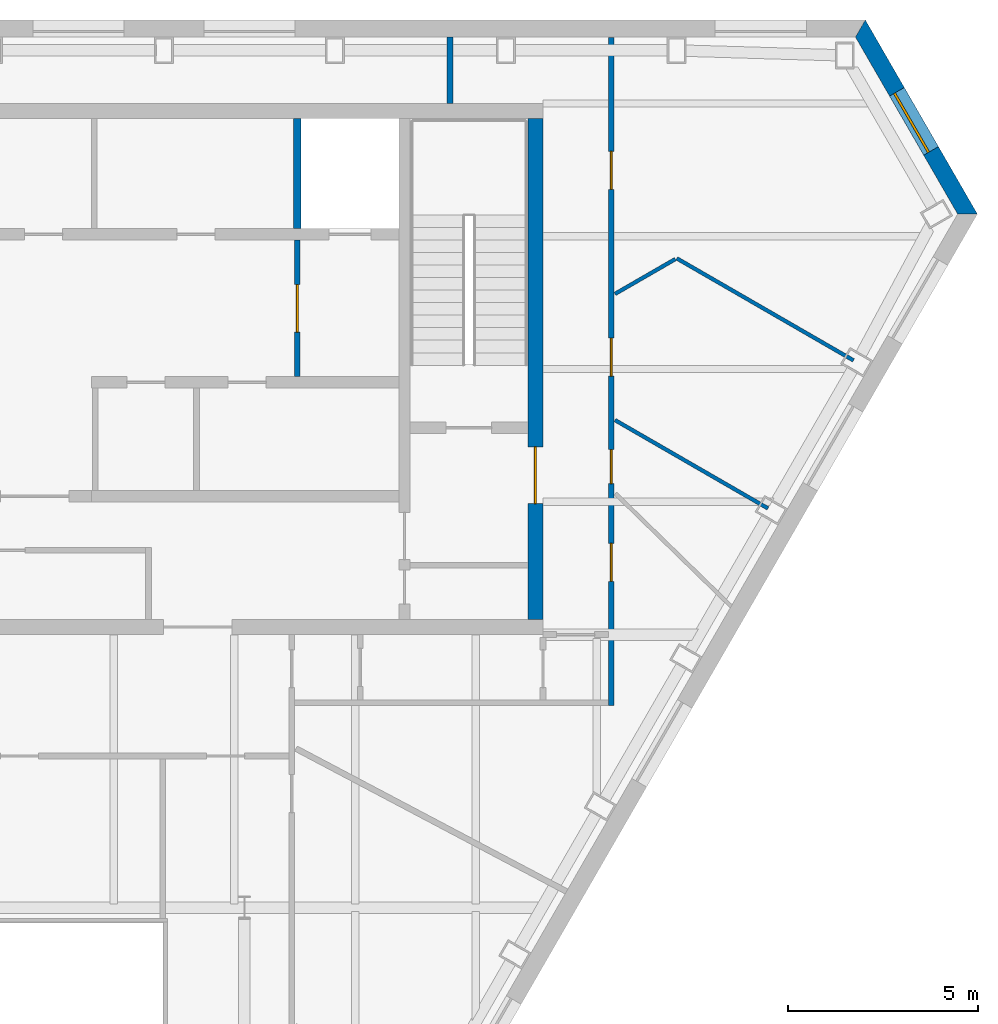
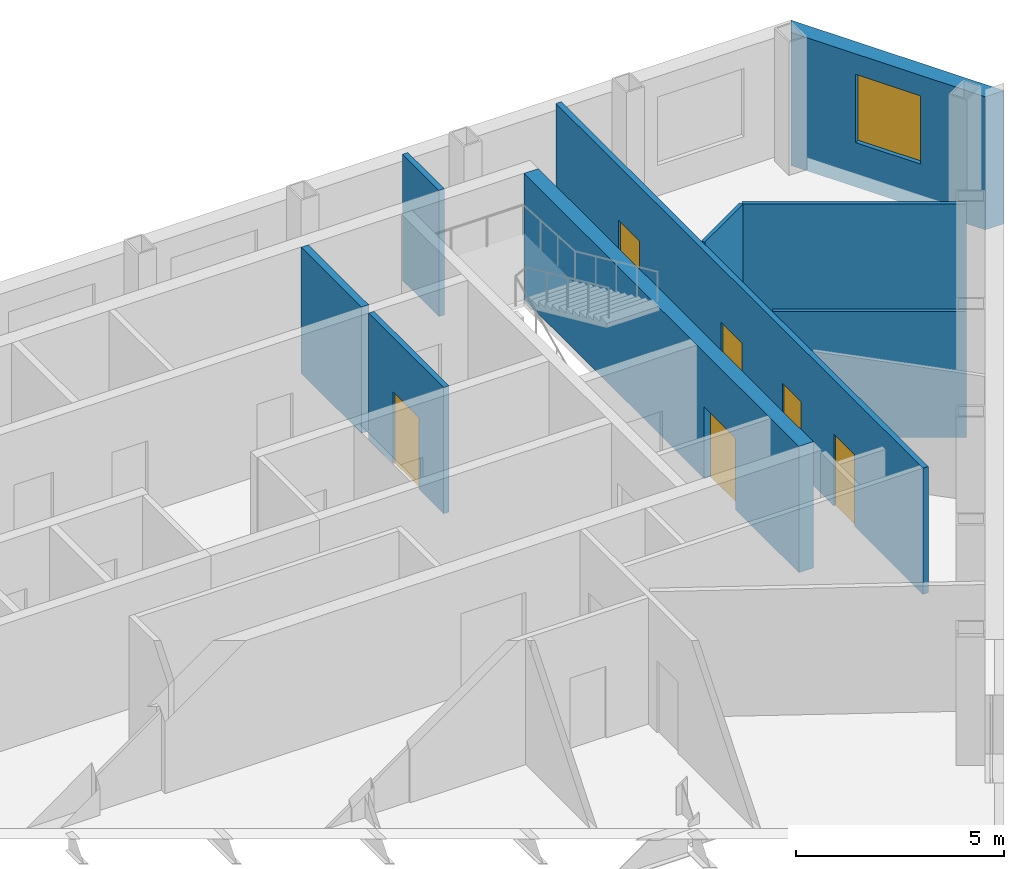
# One storey, part 7 of 10: 9 walls, 6 doors, 1 window, 7 openings.
"""IFC4 building model written with IfcOpenShell, lengths in metres."""

from ifc_helpers import new_model, si_unit, direction, frame, frame_2d, origin, place, context, subcontext, project, spatial, polyline, rectangle, outline, extrude, material, layer, layer_set, type_object, element, fill, save


model = new_model("IFC4")

# Units and contexts
model_context = context("Model", 3, precision=1e-05, world=origin(), true_north=direction((0.0, 1.0)))
body_context = subcontext(model_context, "Body", "Model", "MODEL_VIEW")
ifc_project = project(units=[si_unit("LENGTHUNIT", "METRE"), si_unit("AREAUNIT", "SQUARE_METRE"), si_unit("VOLUMEUNIT", "CUBIC_METRE"), si_unit("PLANEANGLEUNIT", "RADIAN"), si_unit("MASSUNIT", "GRAM", prefix="KILO")], contexts=[model_context])

# Site, building, storey
site_placement = place(None, origin())
site = spatial("IfcSite", under=ifc_project, at=site_placement, CompositionType="ELEMENT")
building_placement = place(site_placement, origin())
building = spatial("IfcBuilding", under=site, at=building_placement, Name="Njiva Tower", CompositionType="ELEMENT")
storey_placement = place(building_placement, frame((0.0, 0.0, 264.9)))
storey = spatial("IfcBuildingStorey", under=building, at=storey_placement, Name="L60", CompositionType="ELEMENT", Elevation=264.9)

# Wall, opening, door
ifc_material_1 = material(Name="Concrete C60/75", Category="concrete")
ifc_layer_1 = layer(ifc_material_1, 0.4)
ifc_layer_set_1 = layer_set([ifc_layer_1], Name="Concrete C60/75")
wall_type_1 = type_object("IfcWallType", Name="WT11 Core wall 400", PredefinedType="SHEAR", material=ifc_layer_set_1)
wall_1_placement = place(storey_placement, frame((14.3, 4.4, 0.0), z_axis=(0.0, 0.0, 1.0), x_axis=(0.0, 1.0, 0.0)))
wall_1 = element("IfcWall", 1, at=wall_1_placement, inside=storey, type_object=wall_type_1, Name="Core wall east", PredefinedType="SHEAR", context=body_context, shape_type="SweptSolid", body=[
    extrude(rectangle(XDim=13.2, YDim=0.4, at=frame_2d((6.6, 0.0))), origin(), (0.0, 0.0, 1.0), 3.7),
])
opening_1_placement = place(wall_1_placement, frame((3.05, 0.0, 0.0)))
opening_1 = element("IfcOpeningElement", 2, at=opening_1_placement, cuts=wall_1, Name="Opening S19-D922", PredefinedType="OPENING", context=body_context, shape_type="SweptSolid", body=[
    extrude(rectangle(XDim=1.5, YDim=2.1, at=frame_2d((0.75, 1.05))), frame((0.0, 0.21, 0.0), z_axis=(0.0, -1.0, 0.0), x_axis=(1.0, 0.0, 0.0)), (0.0, 0.0, 1.0), 0.42),
])
ifc_material_2 = material(Name="Glazed steel fire door", Category="steel")
door_type_1 = type_object("IfcDoorType", Name="D10 Exit door double 1500x2100 glazed", OperationType="DOUBLE_DOOR_SINGLE_SWING", PredefinedType="DOOR", material=ifc_material_2)
door_1_placement = place(opening_1_placement, origin())
door_1 = element("IfcDoor", 3, at=door_1_placement, inside=storey, type_object=door_type_1, Name="Stair B corridor door", OperationType="DOUBLE_DOOR_SINGLE_SWING", OverallHeight=2.1, OverallWidth=1.5, PredefinedType="DOOR", context=body_context, shape_type="SweptSolid", body=[
    extrude(rectangle(XDim=1.5, YDim=2.1, at=frame_2d((0.75, 1.05))), frame((0.0, 0.025, 0.0), z_axis=(0.0, -1.0, 0.0), x_axis=(1.0, 0.0, 0.0)), (0.0, 0.0, 1.0), 0.05),
])
fill(opening_1, door_1)

ifc_material_3 = material(Name="Blockwork", Category="masonry")
ifc_layer_2 = layer(ifc_material_3, 0.15)
ifc_layer_set_2 = layer_set([ifc_layer_2], Name="Blockwork")
wall_type_2 = type_object("IfcWallType", Name="WT2 Lobby partition 150", PredefinedType="PARTITIONING", material=ifc_layer_set_2)
wall_2_placement = place(storey_placement, frame((8.025, 10.8, 0.0), z_axis=(0.0, 0.0, 1.0), x_axis=(0.0, 1.0, 0.0)))
wall_2 = element("IfcWall", 4, at=wall_2_placement, inside=storey, type_object=wall_type_2, Name="Firefighting lobby wall B", PredefinedType="PARTITIONING", context=body_context, shape_type="SweptSolid", body=[
    extrude(rectangle(XDim=3.6, YDim=0.15, at=frame_2d((1.8, 0.0))), origin(), (0.0, 0.0, 1.0), 3.7),
])
opening_2_placement = place(wall_2_placement, frame((1.175, 0.0, 0.0)))
opening_2 = element("IfcOpeningElement", 5, at=opening_2_placement, cuts=wall_2, Name="Opening S19-D919", PredefinedType="OPENING", context=body_context, shape_type="SweptSolid", body=[
    extrude(rectangle(XDim=1.25, YDim=2.1, at=frame_2d((0.625, 1.05))), frame((0.0, 0.085, 0.0), z_axis=(0.0, -1.0, 0.0), x_axis=(1.0, 0.0, 0.0)), (0.0, 0.0, 1.0), 0.17),
])
door_type_2 = type_object("IfcDoorType", Name="D8 Vestibule corridor door 1250x2100 glazed", OperationType="SINGLE_SWING_LEFT", PredefinedType="DOOR", material=ifc_material_2)
door_2_placement = place(opening_2_placement, origin())
door_2 = element("IfcDoor", 6, at=door_2_placement, inside=storey, type_object=door_type_2, Name="Stair vestibule corridor door", OperationType="SINGLE_SWING_LEFT", OverallHeight=2.1, OverallWidth=1.25, PredefinedType="DOOR", context=body_context, shape_type="SweptSolid", body=[
    extrude(rectangle(XDim=1.25, YDim=2.1, at=frame_2d((0.625, 1.05))), frame((0.0, 0.025, 0.0), z_axis=(0.0, -1.0, 0.0), x_axis=(1.0, 0.0, 0.0)), (0.0, 0.0, 1.0), 0.05),
])
fill(opening_2, door_2)

# Walls
ifc_material_4 = material(Name="Gypsum board on steel studs", Category="gypsum")
ifc_layer_3 = layer(ifc_material_4, 0.1)
ifc_layer_set_3 = layer_set([ifc_layer_3], Name="Gypsum board on steel studs")
wall_type_3 = type_object("IfcWallType", Name="WT20 Gypsum partition 100", PredefinedType="PARTITIONING", material=ifc_layer_set_3)
wall_3_placement = place(storey_placement, frame((16.4, 12.982, 0.0), z_axis=(0.0, 0.0, 1.0), x_axis=(0.866221908719, 0.499659488908, 0.0)))
element("IfcWall", 7, at=wall_3_placement, inside=storey, type_object=wall_type_3, Name="Partition S19-P031", PredefinedType="PARTITIONING", context=body_context, shape_type="SweptSolid", body=[
    extrude(rectangle(XDim=1.8332, YDim=0.1, at=frame_2d((0.9166, 0.0))), origin(), (0.0, 0.0, 1.0), 3.7),
])
wall_4_placement = place(storey_placement, frame((16.4, 9.654, 0.0), z_axis=(0.0, 0.0, 1.0), x_axis=(0.86606758311, -0.499926936147, 0.0)))
element("IfcWall", 8, at=wall_4_placement, inside=storey, type_object=wall_type_3, Name="Partition S19-P032", PredefinedType="PARTITIONING", context=body_context, shape_type="SweptSolid", body=[
    extrude(rectangle(XDim=4.6567, YDim=0.1, at=frame_2d((2.3284, 0.0))), origin(), (0.0, 0.0, 1.0), 3.7),
])
wall_5_placement = place(storey_placement, frame((18.026, 13.919, 0.0), z_axis=(0.0, 0.0, 1.0), x_axis=(0.866061796884, -0.499936960004, 0.0)))
element("IfcWall", 9, at=wall_5_placement, inside=storey, type_object=wall_type_3, Name="Partition S19-P034", PredefinedType="PARTITIONING", context=body_context, shape_type="SweptSolid", body=[
    extrude(rectangle(XDim=5.3807, YDim=0.1, at=frame_2d((2.6904, 0.0))), origin(), (0.0, 0.0, 1.0), 3.7),
])
ifc_layer_4 = layer(ifc_material_4, 0.15)
ifc_layer_set_4 = layer_set([ifc_layer_4], Name="Gypsum board on steel studs")
wall_type_4 = type_object("IfcWallType", Name="WT21 Compartment wall 150", PredefinedType="PARTITIONING", material=ifc_layer_set_4)
wall_6_placement = place(storey_placement, frame((12.05, 18.0, 0.0), z_axis=(0.0, 0.0, 1.0), x_axis=(0.0, 1.0, 0.0)))
element("IfcWall", 10, at=wall_6_placement, inside=storey, type_object=wall_type_4, Name="Partition S19-P027", PredefinedType="PARTITIONING", context=body_context, shape_type="SweptSolid", body=[
    extrude(rectangle(XDim=1.75, YDim=0.15, at=frame_2d((0.875, 0.0))), origin(), (0.0, 0.0, 1.0), 3.7),
])

# Wall, openings, doors
wall_7_placement = place(storey_placement, frame((16.3, 2.125, 0.0), z_axis=(0.0, 0.0, 1.0), x_axis=(0.0, 1.0, 0.0)))
wall_7 = element("IfcWall", 11, at=wall_7_placement, inside=storey, type_object=wall_type_4, Name="Partition S19-P030", PredefinedType="PARTITIONING", context=body_context, shape_type="SweptSolid", body=[
    extrude(rectangle(XDim=17.622, YDim=0.15, at=frame_2d((8.811, 0.0))), origin(), (0.0, 0.0, 1.0), 3.7),
])
opening_3_placement = place(wall_7_placement, frame((3.281, 0.0, 0.0)))
opening_3 = element("IfcOpeningElement", 12, at=opening_3_placement, cuts=wall_7, Name="Opening S19-D022", PredefinedType="OPENING", context=body_context, shape_type="SweptSolid", body=[
    extrude(rectangle(XDim=1.0, YDim=2.1, at=frame_2d((0.5, 1.05))), frame((0.0, 0.085, 0.0), z_axis=(0.0, -1.0, 0.0), x_axis=(1.0, 0.0, 0.0)), (0.0, 0.0, 1.0), 0.17),
])
opening_4_placement = place(wall_7_placement, frame((5.853, 0.0, 0.0)))
opening_4 = element("IfcOpeningElement", 13, at=opening_4_placement, cuts=wall_7, Name="Opening S19-D023", PredefinedType="OPENING", context=body_context, shape_type="SweptSolid", body=[
    extrude(rectangle(XDim=0.9, YDim=2.1, at=frame_2d((0.45, 1.05))), frame((0.0, 0.085, 0.0), z_axis=(0.0, -1.0, 0.0), x_axis=(1.0, 0.0, 0.0)), (0.0, 0.0, 1.0), 0.17),
])
opening_5_placement = place(wall_7_placement, frame((8.692, 0.0, 0.0)))
opening_5 = element("IfcOpeningElement", 14, at=opening_5_placement, cuts=wall_7, Name="Opening S19-D024", PredefinedType="OPENING", context=body_context, shape_type="SweptSolid", body=[
    extrude(rectangle(XDim=1.0, YDim=2.1, at=frame_2d((0.5, 1.05))), frame((0.0, 0.085, 0.0), z_axis=(0.0, -1.0, 0.0), x_axis=(1.0, 0.0, 0.0)), (0.0, 0.0, 1.0), 0.17),
])
opening_6_placement = place(wall_7_placement, frame((13.611, 0.0, 0.0)))
opening_6 = element("IfcOpeningElement", 15, at=opening_6_placement, cuts=wall_7, Name="Opening S19-D025", PredefinedType="OPENING", context=body_context, shape_type="SweptSolid", body=[
    extrude(rectangle(XDim=1.0, YDim=2.1, at=frame_2d((0.5, 1.05))), frame((0.0, 0.085, 0.0), z_axis=(0.0, -1.0, 0.0), x_axis=(1.0, 0.0, 0.0)), (0.0, 0.0, 1.0), 0.17),
])
ifc_material_5 = material(Name="Steel fire door set", Category="steel")
door_type_3 = type_object("IfcDoorType", Name="D36 Fire door 900x2100", OperationType="SINGLE_SWING_LEFT", PredefinedType="DOOR", material=ifc_material_5)
door_3_placement = place(opening_4_placement, origin())
door_3 = element("IfcDoor", 16, at=door_3_placement, inside=storey, type_object=door_type_3, Name="Door S19-D023", OperationType="SINGLE_SWING_LEFT", OverallHeight=2.1, OverallWidth=0.9, PredefinedType="DOOR", context=body_context, shape_type="SweptSolid", body=[
    extrude(rectangle(XDim=0.9, YDim=2.1, at=frame_2d((0.45, 1.05))), frame((0.0, 0.025, 0.0), z_axis=(0.0, -1.0, 0.0), x_axis=(1.0, 0.0, 0.0)), (0.0, 0.0, 1.0), 0.05),
])
fill(opening_4, door_3)
door_type_4 = type_object("IfcDoorType", Name="D37 Fire door 1000x2100", OperationType="SINGLE_SWING_LEFT", PredefinedType="DOOR", material=ifc_material_5)
door_4_placement = place(opening_3_placement, origin())
door_4 = element("IfcDoor", 17, at=door_4_placement, inside=storey, type_object=door_type_4, Name="Door S19-D022", OperationType="SINGLE_SWING_LEFT", OverallHeight=2.1, OverallWidth=1.0, PredefinedType="DOOR", context=body_context, shape_type="SweptSolid", body=[
    extrude(rectangle(XDim=1.0, YDim=2.1, at=frame_2d((0.5, 1.05))), frame((0.0, 0.025, 0.0), z_axis=(0.0, -1.0, 0.0), x_axis=(1.0, 0.0, 0.0)), (0.0, 0.0, 1.0), 0.05),
])
fill(opening_3, door_4)
door_5_placement = place(opening_5_placement, origin())
door_5 = element("IfcDoor", 18, at=door_5_placement, inside=storey, type_object=door_type_4, Name="Door S19-D024", OperationType="SINGLE_SWING_RIGHT", OverallHeight=2.1, OverallWidth=1.0, PredefinedType="DOOR", context=body_context, shape_type="SweptSolid", body=[
    extrude(rectangle(XDim=1.0, YDim=2.1, at=frame_2d((0.5, 1.05))), frame((0.0, 0.025, 0.0), z_axis=(0.0, -1.0, 0.0), x_axis=(1.0, 0.0, 0.0)), (0.0, 0.0, 1.0), 0.05),
])
fill(opening_5, door_5)
door_6_placement = place(opening_6_placement, origin())
door_6 = element("IfcDoor", 19, at=door_6_placement, inside=storey, type_object=door_type_4, Name="Door S19-D025", OperationType="SINGLE_SWING_RIGHT", OverallHeight=2.1, OverallWidth=1.0, PredefinedType="DOOR", context=body_context, shape_type="SweptSolid", body=[
    extrude(rectangle(XDim=1.0, YDim=2.1, at=frame_2d((0.5, 1.05))), frame((0.0, 0.025, 0.0), z_axis=(0.0, -1.0, 0.0), x_axis=(1.0, 0.0, 0.0)), (0.0, 0.0, 1.0), 0.05),
])
fill(opening_6, door_6)

# Wall
ifc_material_6 = material(Name="Concrete C40/50", Category="concrete")
ifc_layer_5 = layer(ifc_material_6, 0.2)
ifc_layer_set_5 = layer_set([ifc_layer_5], Name="Concrete C40/50")
wall_type_5 = type_object("IfcWallType", Name="WT6 Lift shaft wall 200", PredefinedType="SHEAR", material=ifc_layer_set_5)
wall_8_placement = place(storey_placement, frame((8.025, 14.7, 0.0), z_axis=(0.0, 0.0, 1.0), x_axis=(0.0, 1.0, 0.0)))
element("IfcWall", 20, at=wall_8_placement, inside=storey, type_object=wall_type_5, Name="Shaft wall CN7", PredefinedType="SHEAR", context=body_context, shape_type="SweptSolid", body=[
    extrude(rectangle(XDim=2.9, YDim=0.2, at=frame_2d((1.45, 0.0))), origin(), (0.0, 0.0, 1.0), 3.7),
])

# Wall, opening, window
ifc_material_7 = material(Name="Brick masonry, buff", Category="masonry")
ifc_layer_6 = layer(ifc_material_7, 0.45)
ifc_layer_set_6 = layer_set([ifc_layer_6], Name="Brick masonry, buff")
wall_type_6 = type_object("IfcWallType", Name="WT94 Brick pier and spandrel wall 450, buff", PredefinedType="SOLIDWALL", material=ifc_layer_set_6)
wall_9_placement = place(storey_placement, frame((25.6939, 15.084, -0.4), z_axis=(0.0, 0.0, 1.0), x_axis=(-0.50000128263, 0.866024663256, 0.0)))
wall_9 = element("IfcWall", 21, at=wall_9_placement, inside=storey, type_object=wall_type_6, Name="Facade wall NE", PredefinedType="SOLIDWALL", context=body_context, shape_type="SweptSolid", body=[
    extrude(outline(polyline([(-0.1299, -0.225), (5.7801, -0.225), (5.5203, 0.225), (0.1299, 0.225), (-0.1299, -0.225)])), origin(), (0.0, 0.0, 1.0), 3.9),
])
opening_7_placement = place(wall_9_placement, frame((1.9251, 0.0, 1.3)))
opening_7 = element("IfcOpeningElement", 22, at=opening_7_placement, cuts=wall_9, Name="Opening S19-W28", PredefinedType="OPENING", context=body_context, shape_type="SweptSolid", body=[
    extrude(rectangle(XDim=1.8, YDim=2.0, at=frame_2d((0.9, 1.0))), frame((0.0, 0.235, 0.0), z_axis=(0.0, -1.0, 0.0), x_axis=(1.0, 0.0, 0.0)), (0.0, 0.0, 1.0), 0.47),
])
ifc_material_8 = material(Name="Clear glazing in aluminium frame", Category="aluminium")
window_type = type_object("IfcWindowType", Name="W94 Deep-set window 1800x2000", PartitioningType="SINGLE_PANEL", PredefinedType="WINDOW", material=ifc_material_8)
window_placement = place(opening_7_placement, origin())
window = element("IfcWindow", 23, at=window_placement, inside=storey, type_object=window_type, Name="Window", OverallHeight=2.0, OverallWidth=1.8, PartitioningType="SINGLE_PANEL", PredefinedType="WINDOW", context=body_context, shape_type="SweptSolid", body=[
    extrude(rectangle(XDim=1.8, YDim=2.0, at=frame_2d((0.9, 1.0))), frame((0.0, 0.105, 0.0), z_axis=(0.0, -1.0, 0.0), x_axis=(1.0, 0.0, 0.0)), (0.0, 0.0, 1.0), 0.06),
])
fill(opening_7, window)

save(model, "model.ifc")
